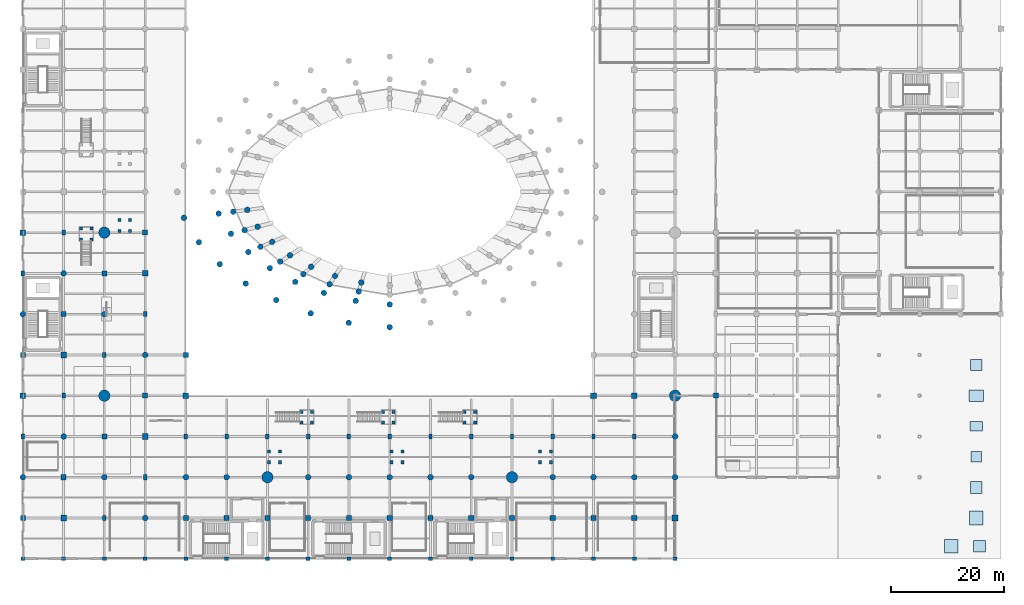
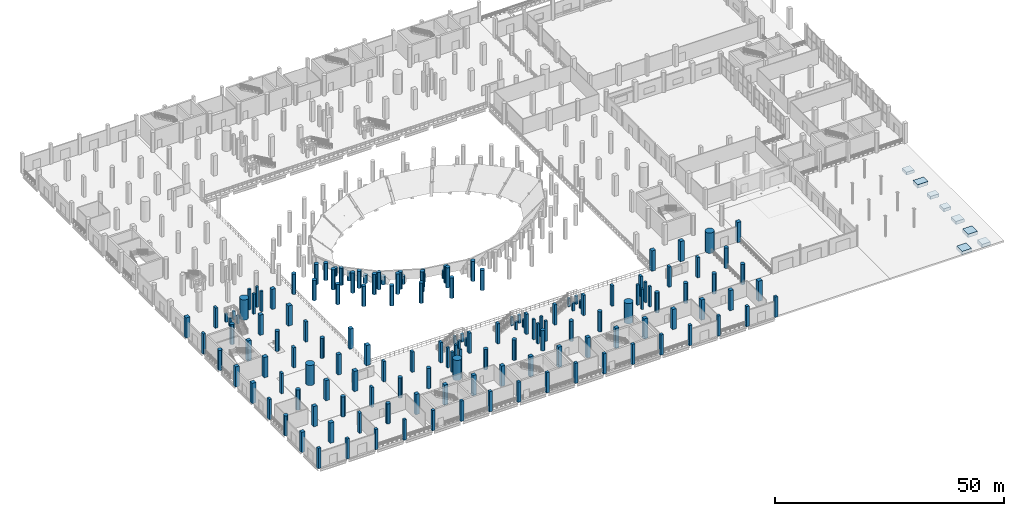
# One storey, part 1 of 58: 156 columns, 8 footings.
"""IFC4 building model written with IfcOpenShell, lengths in metres."""

from ifc_helpers import new_model, si_unit, direction, frame, origin, origin_2d, place, context, subcontext, project, spatial, rectangle, circle, extrude, material, material_profile, profile_set, type_object, element, save


model = new_model("IFC4")

# Units and contexts
model_context = context("Model", 3, precision=1e-05, world=origin(), true_north=direction((0.0, 1.0)))
body_context = subcontext(model_context, "Body", "Model", "MODEL_VIEW")
ifc_project = project(units=[si_unit("LENGTHUNIT", "METRE"), si_unit("AREAUNIT", "SQUARE_METRE"), si_unit("VOLUMEUNIT", "CUBIC_METRE"), si_unit("PLANEANGLEUNIT", "RADIAN"), si_unit("MASSUNIT", "GRAM", prefix="KILO")], contexts=[model_context])

# Site, building, storey
site_placement = place(None, origin())
site = spatial("IfcSite", under=ifc_project, at=site_placement, CompositionType="ELEMENT")
building_placement = place(site_placement, origin())
building = spatial("IfcBuilding", under=site, at=building_placement, Name="Qandorah Velis Arena", CompositionType="ELEMENT")
storey_placement = place(building_placement, origin())
storey = spatial("IfcBuildingStorey", under=building, at=storey_placement, Name="L00", CompositionType="ELEMENT", Elevation=0.0)

# Footings
ifc_material_1 = material(Name="Concrete C40/50", Category="concrete")
footing_type_1 = type_object("IfcFootingType", Name="STR-PAD-PF1", PredefinedType="PAD_FOOTING", material=ifc_material_1)
for number, where, z_axis, x_axis, name in (
    (1, (168.39990234375, 7.199951171875, -0.89990234375), (0.0, 0.0, 1.0), (1.0, 0.0, 0.0), "Plaza pad footing PF-01"),
    (2, (164.0, 2.199951171875, -0.89990234375), (0.0, 0.0, 1.0), (1.0, 0.0, 0.0), "Plaza pad footing PF-07"),
):
    element("IfcFooting", number, at=place(storey_placement, frame(where, z_axis=z_axis, x_axis=x_axis)), inside=storey, type_object=footing_type_1, Name=name, PredefinedType="PAD_FOOTING", context=body_context, shape_type="SweptSolid", body=[
        extrude(rectangle(XDim=2.39990234375, YDim=2.39990234375, at=origin_2d()), origin(), (0.0, 0.0, 1.0), 0.89990234375),
    ])
footing_type_2 = type_object("IfcFootingType", Name="STR-PAD-PF2", PredefinedType="PAD_FOOTING", material=ifc_material_1)
for number, where, z_axis, x_axis, name in (
    (3, (168.39990234375, 12.60009765625, -0.875), (0.0, 0.0, 1.0), (1.0, 0.0, 0.0), "Plaza pad footing PF-02"),
    (4, (169.0, 2.199951171875, -0.875), (0.0, 0.0, 1.0), (1.0, 0.0, 0.0), "Plaza pad footing PF-08"),
):
    element("IfcFooting", number, at=place(storey_placement, frame(where, z_axis=z_axis, x_axis=x_axis)), inside=storey, type_object=footing_type_2, Name=name, PredefinedType="PAD_FOOTING", context=body_context, shape_type="SweptSolid", body=[
        extrude(rectangle(XDim=2.10009765625, YDim=2.10009765625, at=origin_2d()), origin(), (0.0, 0.0, 1.0), 0.85009765625),
    ])
footing_type_3 = type_object("IfcFootingType", Name="STR-PAD-PF3", PredefinedType="PAD_FOOTING", material=ifc_material_1)
footing_1_placement = place(storey_placement, frame((168.39990234375, 18.0, -0.85009765625), z_axis=(0.0, 0.0, 1.0), x_axis=(1.0, 0.0, 0.0)))
element("IfcFooting", 5, at=footing_1_placement, inside=storey, type_object=footing_type_3, Name="Plaza pad footing PF-03", PredefinedType="PAD_FOOTING", context=body_context, shape_type="SweptSolid", body=[
    extrude(rectangle(XDim=1.800048828125, YDim=1.800048828125, at=origin_2d()), origin(), (0.0, 0.0, 1.0), 0.800048828125),
])
footing_type_4 = type_object("IfcFootingType", Name="STR-PAD-PF4", PredefinedType="PAD_FOOTING", material=ifc_material_1)
footing_2_placement = place(storey_placement, frame((168.39990234375, 23.39990234375, -0.85009765625), z_axis=(0.0, 0.0, 1.0), x_axis=(1.0, 0.0, 0.0)))
element("IfcFooting", 6, at=footing_2_placement, inside=storey, type_object=footing_type_4, Name="Plaza pad footing PF-04", PredefinedType="PAD_FOOTING", context=body_context, shape_type="SweptSolid", body=[
    extrude(rectangle(XDim=2.199951171875, YDim=1.60009765625, at=origin_2d()), origin(), (0.0, 0.0, 1.0), 0.800048828125),
])
footing_type_5 = type_object("IfcFootingType", Name="STR-PAD-PF5", PredefinedType="PAD_FOOTING", material=ifc_material_1)
footing_3_placement = place(storey_placement, frame((168.39990234375, 28.800048828125, -0.9248046875), z_axis=(0.0, 0.0, 1.0), x_axis=(1.0, 0.0, 0.0)))
element("IfcFooting", 7, at=footing_3_placement, inside=storey, type_object=footing_type_5, Name="Plaza pad footing PF-05", PredefinedType="PAD_FOOTING", context=body_context, shape_type="SweptSolid", body=[
    extrude(rectangle(XDim=2.60009765625, YDim=2.0, at=origin_2d()), origin(), (0.0, 0.0, 1.0), 0.949951171875),
])
footing_type_6 = type_object("IfcFootingType", Name="STR-PAD-PF6", PredefinedType="PAD_FOOTING", material=ifc_material_1)
footing_4_placement = place(storey_placement, frame((168.39990234375, 34.199951171875, -0.824951171875), z_axis=(0.0, 0.0, 1.0), x_axis=(1.0, 0.0, 0.0)))
element("IfcFooting", 8, at=footing_4_placement, inside=storey, type_object=footing_type_6, Name="Plaza pad footing PF-06", PredefinedType="PAD_FOOTING", context=body_context, shape_type="SweptSolid", body=[
    extrude(rectangle(XDim=1.949951171875, YDim=1.949951171875, at=origin_2d()), origin(), (0.0, 0.0, 1.0), 0.75),
])

# Columns
ifc_material_2 = material(Name="Concrete C50/60", Category="concrete")
ifc_material_profile_1 = material_profile(ifc_material_2, circle(Radius=1.0, at=origin_2d()), Name="MC D2000")
ifc_profile_set_1 = profile_set([ifc_material_profile_1], Name="Concrete C50/60")
column_type_1 = type_object("IfcColumnType", Name="STR-COL-MC2000", PredefinedType="COLUMN", material=ifc_profile_set_1)
for number, where, z_axis, x_axis, name in (
    (9, (14.39990234375, 28.800048828125, 0.0), (0.0, 0.0, 1.0), (1.0, 0.0, 0.0), "Mega column MC1 (L00)"),
    (10, (14.39990234375, 57.60009765625, 0.0), (0.0, 0.0, 1.0), (1.0, 0.0, 0.0), "Mega column MC2 (L00)"),
    (11, (43.199951171875, 14.39990234375, 0.0), (0.0, 0.0, 1.0), (1.0, 0.0, 0.0), "Mega column MC4 (L00)"),
    (12, (86.39990234375, 14.39990234375, 0.0), (0.0, 0.0, 1.0), (1.0, 0.0, 0.0), "Mega column MC5 (L00)"),
    (13, (115.199951171875, 28.800048828125, 0.0), (0.0, 0.0, 1.0), (1.0, 0.0, 0.0), "Mega column MC8 (L00)"),
):
    element("IfcColumn", number, at=place(storey_placement, frame(where, z_axis=z_axis, x_axis=x_axis)), inside=storey, type_object=column_type_1, Name=name, PredefinedType="COLUMN", context=body_context, shape_type="SweptSolid", body=[
        extrude(circle(Radius=1.0, at=origin_2d()), origin(), (0.0, 0.0, 1.0), 5.39990234375),
    ])
ifc_material_profile_2 = material_profile(ifc_material_1, rectangle(XDim=1.0, YDim=1.0, at=origin_2d()), Name="RC COL 1000x1000")
ifc_profile_set_2 = profile_set([ifc_material_profile_2], Name="Concrete C40/50")
column_type_2 = type_object("IfcColumnType", Name="STR-COL-RC1000", PredefinedType="COLUMN", material=ifc_profile_set_2)
for number, where, z_axis, x_axis, name in (
    (14, (0.0, 28.800048828125, 0.0), (0.0, 0.0, 1.0), (1.0, 0.0, 0.0), "Structural column L00-004"),
    (15, (0.0, 57.60009765625, 0.0), (0.0, 0.0, 1.0), (1.0, 0.0, 0.0), "Structural column L00-008"),
    (16, (7.199951171875, 7.199951171875, 0.0), (0.0, 0.0, 1.0), (1.0, 0.0, 0.0), "Structural column L00-020"),
    (17, (7.199951171875, 36.0, 0.0), (0.0, 0.0, 1.0), (1.0, 0.0, 0.0), "Structural column L00-024"),
    (18, (21.60009765625, 21.60009765625, 0.0), (0.0, 0.0, 1.0), (1.0, 0.0, 0.0), "Structural column L00-060"),
    (19, (21.60009765625, 50.39990234375, 0.0), (0.0, 0.0, 1.0), (1.0, 0.0, 0.0), "Structural column L00-064"),
    (20, (28.800048828125, 28.800048828125, 0.0), (0.0, 0.0, 1.0), (1.0, 0.0, 0.0), "Structural column L00-080"),
    (21, (100.800048828125, 28.800048828125, 0.0), (0.0, 0.0, 1.0), (1.0, 0.0, 0.0), "Structural column L00-164"),
    (22, (108.0, 28.800048828125, 0.0), (0.0, 0.0, 1.0), (1.0, 0.0, 0.0), "Structural column L00-176"),
    (23, (115.199951171875, 7.199951171875, 0.0), (0.0, 0.0, 1.0), (1.0, 0.0, 0.0), "Structural column L00-192"),
):
    element("IfcColumn", number, at=place(storey_placement, frame(where, z_axis=z_axis, x_axis=x_axis)), inside=storey, type_object=column_type_2, Name=name, PredefinedType="COLUMN", context=body_context, shape_type="SweptSolid", body=[
        extrude(rectangle(XDim=1.0, YDim=1.0, at=origin_2d()), origin(), (0.0, 0.0, 1.0), 5.39990234375),
    ])
ifc_material_profile_3 = material_profile(ifc_material_1, rectangle(XDim=0.550048828125, YDim=0.550048828125, at=origin_2d()), Name="RC COL 550x550")
ifc_profile_set_3 = profile_set([ifc_material_profile_3], Name="Concrete C40/50")
column_type_3 = type_object("IfcColumnType", Name="STR-COL-RC550", PredefinedType="COLUMN", material=ifc_profile_set_3)
for number, where, z_axis, x_axis, name in (
    (24, (49.199951171875, 24.050048828125, 0.0), (0.0, 0.0, 1.0), (1.0, 0.0, 0.0), "Vomitory VS1 L00 landing column 1"),
    (25, (51.10009765625, 24.050048828125, 0.0), (0.0, 0.0, 1.0), (1.0, 0.0, 0.0), "Vomitory VS1 L00 landing column 2"),
    (26, (49.199951171875, 25.949951171875, 0.0), (0.0, 0.0, 1.0), (1.0, 0.0, 0.0), "Vomitory VS1 L00 landing column 3"),
    (27, (51.10009765625, 25.949951171875, 0.0), (0.0, 0.0, 1.0), (1.0, 0.0, 0.0), "Vomitory VS1 L00 landing column 4"),
    (28, (63.60009765625, 24.050048828125, 0.0), (0.0, 0.0, 1.0), (1.0, 0.0, 0.0), "Vomitory VS2 L00 landing column 1"),
    (29, (65.5, 24.050048828125, 0.0), (0.0, 0.0, 1.0), (1.0, 0.0, 0.0), "Vomitory VS2 L00 landing column 2"),
    (30, (63.60009765625, 25.949951171875, 0.0), (0.0, 0.0, 1.0), (1.0, 0.0, 0.0), "Vomitory VS2 L00 landing column 3"),
    (31, (65.5, 25.949951171875, 0.0), (0.0, 0.0, 1.0), (1.0, 0.0, 0.0), "Vomitory VS2 L00 landing column 4"),
    (32, (78.0, 24.050048828125, 0.0), (0.0, 0.0, 1.0), (1.0, 0.0, 0.0), "Vomitory VS3 L00 landing column 1"),
    (33, (79.89990234375, 24.050048828125, 0.0), (0.0, 0.0, 1.0), (1.0, 0.0, 0.0), "Vomitory VS3 L00 landing column 2"),
    (34, (78.0, 25.949951171875, 0.0), (0.0, 0.0, 1.0), (1.0, 0.0, 0.0), "Vomitory VS3 L00 landing column 3"),
    (35, (79.89990234375, 25.949951171875, 0.0), (0.0, 0.0, 1.0), (1.0, 0.0, 0.0), "Vomitory VS3 L00 landing column 4"),
    (36, (10.25, 56.39990234375, 0.0), (0.0, 0.0, 1.0), (1.0, 0.0, 0.0), "Vomitory VS7 L00 landing column 1"),
    (37, (12.14990234375, 56.39990234375, 0.0), (0.0, 0.0, 1.0), (1.0, 0.0, 0.0), "Vomitory VS7 L00 landing column 2"),
    (38, (10.25, 58.300048828125, 0.0), (0.0, 0.0, 1.0), (1.0, 0.0, 0.0), "Vomitory VS7 L00 landing column 3"),
    (39, (12.14990234375, 58.300048828125, 0.0), (0.0, 0.0, 1.0), (1.0, 0.0, 0.0), "Vomitory VS7 L00 landing column 4"),
):
    element("IfcColumn", number, at=place(storey_placement, frame(where, z_axis=z_axis, x_axis=x_axis)), inside=storey, type_object=column_type_3, Name=name, PredefinedType="COLUMN", context=body_context, shape_type="SweptSolid", body=[
        extrude(rectangle(XDim=0.550048828125, YDim=0.550048828125, at=origin_2d()), origin(), (0.0, 0.0, 1.0), 2.159912109375),
    ])
for number, where, z_axis, x_axis, name in (
    (40, (43.5, 17.050048828125, 0.0), (0.0, 0.0, 1.0), (1.0, 0.0, 0.0), "Vomitory VS9 L00 landing column 1"),
    (41, (45.449951171875, 17.050048828125, 0.0), (0.0, 0.0, 1.0), (1.0, 0.0, 0.0), "Vomitory VS9 L00 landing column 2"),
    (42, (43.5, 18.949951171875, 0.0), (0.0, 0.0, 1.0), (1.0, 0.0, 0.0), "Vomitory VS9 L00 landing column 3"),
    (43, (45.449951171875, 18.949951171875, 0.0), (0.0, 0.0, 1.0), (1.0, 0.0, 0.0), "Vomitory VS9 L00 landing column 4"),
    (44, (65.10009765625, 17.050048828125, 0.0), (0.0, 0.0, 1.0), (1.0, 0.0, 0.0), "Vomitory VS10 L00 landing column 1"),
    (45, (67.050048828125, 17.050048828125, 0.0), (0.0, 0.0, 1.0), (1.0, 0.0, 0.0), "Vomitory VS10 L00 landing column 2"),
    (46, (65.10009765625, 18.949951171875, 0.0), (0.0, 0.0, 1.0), (1.0, 0.0, 0.0), "Vomitory VS10 L00 landing column 3"),
    (47, (67.050048828125, 18.949951171875, 0.0), (0.0, 0.0, 1.0), (1.0, 0.0, 0.0), "Vomitory VS10 L00 landing column 4"),
    (48, (91.35009765625, 17.050048828125, 0.0), (0.0, 0.0, 1.0), (1.0, 0.0, 0.0), "Vomitory VS11 L00 landing column 1"),
    (49, (93.300048828125, 17.050048828125, 0.0), (0.0, 0.0, 1.0), (1.0, 0.0, 0.0), "Vomitory VS11 L00 landing column 2"),
    (50, (91.35009765625, 18.949951171875, 0.0), (0.0, 0.0, 1.0), (1.0, 0.0, 0.0), "Vomitory VS11 L00 landing column 3"),
    (51, (93.300048828125, 18.949951171875, 0.0), (0.0, 0.0, 1.0), (1.0, 0.0, 0.0), "Vomitory VS11 L00 landing column 4"),
    (52, (17.050048828125, 57.89990234375, 0.0), (0.0, 0.0, 1.0), (1.0, 0.0, 0.0), "Vomitory VS15 L00 landing column 1"),
    (53, (18.949951171875, 57.89990234375, 0.0), (0.0, 0.0, 1.0), (1.0, 0.0, 0.0), "Vomitory VS15 L00 landing column 2"),
    (54, (17.050048828125, 59.85009765625, 0.0), (0.0, 0.0, 1.0), (1.0, 0.0, 0.0), "Vomitory VS15 L00 landing column 3"),
    (55, (18.949951171875, 59.85009765625, 0.0), (0.0, 0.0, 1.0), (1.0, 0.0, 0.0), "Vomitory VS15 L00 landing column 4"),
):
    element("IfcColumn", number, at=place(storey_placement, frame(where, z_axis=z_axis, x_axis=x_axis)), inside=storey, type_object=column_type_3, Name=name, PredefinedType="COLUMN", context=body_context, shape_type="SweptSolid", body=[
        extrude(rectangle(XDim=0.550048828125, YDim=0.550048828125, at=origin_2d()), origin(), (0.0, 0.0, 1.0), 5.39990234375),
    ])
ifc_material_profile_4 = material_profile(ifc_material_1, rectangle(XDim=0.60009765625, YDim=0.89990234375, at=origin_2d()), Name="RC COL 600x900")
ifc_profile_set_4 = profile_set([ifc_material_profile_4], Name="Concrete C40/50")
column_type_4 = type_object("IfcColumnType", Name="STR-COL-RC600X900", PredefinedType="COLUMN", material=ifc_profile_set_4)
for number, where, z_axis, x_axis, name in (
    (56, (0.0, 21.60009765625, 0.0), (0.0, 0.0, 1.0), (1.0, 0.0, 0.0), "Structural column L00-003"),
    (57, (0.0, 50.39990234375, 0.0), (0.0, 0.0, 1.0), (1.0, 0.0, 0.0), "Structural column L00-007"),
    (58, (7.199951171875, 28.800048828125, 0.0), (0.0, 0.0, 1.0), (1.0, 0.0, 0.0), "Structural column L00-023"),
    (59, (7.199951171875, 57.60009765625, 0.0), (0.0, 0.0, 1.0), (1.0, 0.0, 0.0), "Structural column L00-027"),
    (60, (14.39990234375, 7.199951171875, 0.0), (0.0, 0.0, 1.0), (1.0, 0.0, 0.0), "Structural column L00-039"),
    (61, (14.39990234375, 36.0, 0.0), (0.0, 0.0, 1.0), (1.0, 0.0, 0.0), "Structural column L00-043"),
    (62, (21.60009765625, 14.39990234375, 0.0), (0.0, 0.0, 1.0), (1.0, 0.0, 0.0), "Structural column L00-059"),
    (63, (21.60009765625, 43.199951171875, 0.0), (0.0, 0.0, 1.0), (1.0, 0.0, 0.0), "Structural column L00-063"),
    (64, (28.800048828125, 21.60009765625, 0.0), (0.0, 0.0, 1.0), (1.0, 0.0, 0.0), "Structural column L00-079"),
    (65, (36.0, 21.60009765625, 0.0), (0.0, 0.0, 1.0), (1.0, 0.0, 0.0), "Structural column L00-091"),
    (66, (43.199951171875, 21.60009765625, 0.0), (0.0, 0.0, 1.0), (1.0, 0.0, 0.0), "Structural column L00-099"),
    (67, (50.39990234375, 21.60009765625, 0.0), (0.0, 0.0, 1.0), (1.0, 0.0, 0.0), "Structural column L00-107"),
    (68, (57.60009765625, 21.60009765625, 0.0), (0.0, 0.0, 1.0), (1.0, 0.0, 0.0), "Structural column L00-115"),
    (69, (64.800048828125, 21.60009765625, 0.0), (0.0, 0.0, 1.0), (1.0, 0.0, 0.0), "Structural column L00-123"),
    (70, (72.0, 21.60009765625, 0.0), (0.0, 0.0, 1.0), (1.0, 0.0, 0.0), "Structural column L00-131"),
    (71, (79.199951171875, 21.60009765625, 0.0), (0.0, 0.0, 1.0), (1.0, 0.0, 0.0), "Structural column L00-139"),
    (72, (86.39990234375, 21.60009765625, 0.0), (0.0, 0.0, 1.0), (1.0, 0.0, 0.0), "Structural column L00-147"),
    (73, (93.60009765625, 21.60009765625, 0.0), (0.0, 0.0, 1.0), (1.0, 0.0, 0.0), "Structural column L00-155"),
    (74, (100.800048828125, 21.60009765625, 0.0), (0.0, 0.0, 1.0), (1.0, 0.0, 0.0), "Structural column L00-163"),
    (75, (108.0, 21.60009765625, 0.0), (0.0, 0.0, 1.0), (1.0, 0.0, 0.0), "Structural column L00-175"),
):
    element("IfcColumn", number, at=place(storey_placement, frame(where, z_axis=z_axis, x_axis=x_axis)), inside=storey, type_object=column_type_4, Name=name, PredefinedType="COLUMN", context=body_context, shape_type="SweptSolid", body=[
        extrude(rectangle(XDim=0.60009765625, YDim=0.89990234375, at=origin_2d()), origin(), (0.0, 0.0, 1.0), 5.39990234375),
    ])
ifc_material_profile_5 = material_profile(ifc_material_1, rectangle(XDim=0.699951171875, YDim=0.699951171875, at=origin_2d()), Name="RC COL 700x700")
ifc_profile_set_5 = profile_set([ifc_material_profile_5], Name="Concrete C40/50")
column_type_5 = type_object("IfcColumnType", Name="STR-COL-RC700", PredefinedType="COLUMN", material=ifc_profile_set_5)
for number, where, z_axis, x_axis, name in (
    (76, (0.0, 0.0, 0.0), (0.0, 0.0, 1.0), (1.0, 0.0, 0.0), "Structural column L00-000"),
    (77, (7.199951171875, 0.0, 0.0), (0.0, 0.0, 1.0), (1.0, 0.0, 0.0), "Structural column L00-019"),
    (78, (14.39990234375, 0.0, 0.0), (0.0, 0.0, 1.0), (1.0, 0.0, 0.0), "Structural column L00-038"),
    (79, (21.60009765625, 0.0, 0.0), (0.0, 0.0, 1.0), (1.0, 0.0, 0.0), "Structural column L00-057"),
    (80, (28.800048828125, 0.0, 0.0), (0.0, 0.0, 1.0), (1.0, 0.0, 0.0), "Structural column L00-076"),
    (81, (36.0, 0.0, 0.0), (0.0, 0.0, 1.0), (1.0, 0.0, 0.0), "Structural column L00-088"),
    (82, (43.199951171875, 0.0, 0.0), (0.0, 0.0, 1.0), (1.0, 0.0, 0.0), "Structural column L00-096"),
    (83, (50.39990234375, 0.0, 0.0), (0.0, 0.0, 1.0), (1.0, 0.0, 0.0), "Structural column L00-104"),
    (84, (57.60009765625, 0.0, 0.0), (0.0, 0.0, 1.0), (1.0, 0.0, 0.0), "Structural column L00-112"),
    (85, (64.800048828125, 0.0, 0.0), (0.0, 0.0, 1.0), (1.0, 0.0, 0.0), "Structural column L00-120"),
    (86, (72.0, 0.0, 0.0), (0.0, 0.0, 1.0), (1.0, 0.0, 0.0), "Structural column L00-128"),
    (87, (79.199951171875, 0.0, 0.0), (0.0, 0.0, 1.0), (1.0, 0.0, 0.0), "Structural column L00-136"),
    (88, (86.39990234375, 0.0, 0.0), (0.0, 0.0, 1.0), (1.0, 0.0, 0.0), "Structural column L00-144"),
    (89, (93.60009765625, 0.0, 0.0), (0.0, 0.0, 1.0), (1.0, 0.0, 0.0), "Structural column L00-152"),
    (90, (100.800048828125, 0.0, 0.0), (0.0, 0.0, 1.0), (1.0, 0.0, 0.0), "Structural column L00-160"),
    (91, (108.0, 0.0, 0.0), (0.0, 0.0, 1.0), (1.0, 0.0, 0.0), "Structural column L00-172"),
    (92, (115.199951171875, 0.0, 0.0), (0.0, 0.0, 1.0), (1.0, 0.0, 0.0), "Structural column L00-191"),
):
    element("IfcColumn", number, at=place(storey_placement, frame(where, z_axis=z_axis, x_axis=x_axis)), inside=storey, type_object=column_type_5, Name=name, PredefinedType="COLUMN", context=body_context, shape_type="SweptSolid", body=[
        extrude(rectangle(XDim=0.699951171875, YDim=0.699951171875, at=origin_2d()), origin(), (0.0, 0.0, 1.0), 5.39990234375),
    ])
ifc_material_profile_6 = material_profile(ifc_material_1, rectangle(XDim=0.89990234375, YDim=0.89990234375, at=origin_2d()), Name="RC COL 900x900")
ifc_profile_set_6 = profile_set([ifc_material_profile_6], Name="Concrete C40/50")
column_type_6 = type_object("IfcColumnType", Name="STR-COL-RC900", PredefinedType="COLUMN", material=ifc_profile_set_6)
for number, where, z_axis, x_axis, name in (
    (93, (0.0, 7.199951171875, 0.0), (0.0, 0.0, 1.0), (1.0, 0.0, 0.0), "Structural column L00-001"),
    (94, (0.0, 36.0, 0.0), (0.0, 0.0, 1.0), (1.0, 0.0, 0.0), "Structural column L00-005"),
    (95, (7.199951171875, 14.39990234375, 0.0), (0.0, 0.0, 1.0), (1.0, 0.0, 0.0), "Structural column L00-021"),
    (96, (7.199951171875, 43.199951171875, 0.0), (0.0, 0.0, 1.0), (1.0, 0.0, 0.0), "Structural column L00-025"),
    (97, (14.39990234375, 21.60009765625, 0.0), (0.0, 0.0, 1.0), (1.0, 0.0, 0.0), "Structural column L00-041"),
    (98, (14.39990234375, 50.39990234375, 0.0), (0.0, 0.0, 1.0), (1.0, 0.0, 0.0), "Structural column L00-045"),
    (99, (21.60009765625, 28.800048828125, 0.0), (0.0, 0.0, 1.0), (1.0, 0.0, 0.0), "Structural column L00-061"),
    (100, (21.60009765625, 57.60009765625, 0.0), (0.0, 0.0, 1.0), (1.0, 0.0, 0.0), "Structural column L00-065"),
    (101, (28.800048828125, 7.199951171875, 0.0), (0.0, 0.0, 1.0), (1.0, 0.0, 0.0), "Structural column L00-077"),
    (102, (28.800048828125, 36.0, 0.0), (0.0, 0.0, 1.0), (1.0, 0.0, 0.0), "Structural column L00-081"),
    (103, (36.0, 7.199951171875, 0.0), (0.0, 0.0, 1.0), (1.0, 0.0, 0.0), "Structural column L00-089"),
    (104, (43.199951171875, 7.199951171875, 0.0), (0.0, 0.0, 1.0), (1.0, 0.0, 0.0), "Structural column L00-097"),
    (105, (50.39990234375, 7.199951171875, 0.0), (0.0, 0.0, 1.0), (1.0, 0.0, 0.0), "Structural column L00-105"),
    (106, (57.60009765625, 7.199951171875, 0.0), (0.0, 0.0, 1.0), (1.0, 0.0, 0.0), "Structural column L00-113"),
    (107, (64.800048828125, 7.199951171875, 0.0), (0.0, 0.0, 1.0), (1.0, 0.0, 0.0), "Structural column L00-121"),
    (108, (72.0, 7.199951171875, 0.0), (0.0, 0.0, 1.0), (1.0, 0.0, 0.0), "Structural column L00-129"),
    (109, (79.199951171875, 7.199951171875, 0.0), (0.0, 0.0, 1.0), (1.0, 0.0, 0.0), "Structural column L00-137"),
    (110, (86.39990234375, 7.199951171875, 0.0), (0.0, 0.0, 1.0), (1.0, 0.0, 0.0), "Structural column L00-145"),
    (111, (93.60009765625, 7.199951171875, 0.0), (0.0, 0.0, 1.0), (1.0, 0.0, 0.0), "Structural column L00-153"),
    (112, (100.800048828125, 7.199951171875, 0.0), (0.0, 0.0, 1.0), (1.0, 0.0, 0.0), "Structural column L00-161"),
    (113, (108.0, 7.199951171875, 0.0), (0.0, 0.0, 1.0), (1.0, 0.0, 0.0), "Structural column L00-173"),
    (114, (122.39990234375, 28.800048828125, 0.0), (0.0, 0.0, 1.0), (1.0, 0.0, 0.0), "Structural column L00-209"),
):
    element("IfcColumn", number, at=place(storey_placement, frame(where, z_axis=z_axis, x_axis=x_axis)), inside=storey, type_object=column_type_6, Name=name, PredefinedType="COLUMN", context=body_context, shape_type="SweptSolid", body=[
        extrude(rectangle(XDim=0.89990234375, YDim=0.89990234375, at=origin_2d()), origin(), (0.0, 0.0, 1.0), 5.39990234375),
    ])
ifc_material_profile_7 = material_profile(ifc_material_1, circle(Radius=0.5, at=origin_2d()), Name="RC D1000")
ifc_profile_set_7 = profile_set([ifc_material_profile_7], Name="Concrete C40/50")
column_type_7 = type_object("IfcColumnType", Name="STR-COL-RCD1000", PredefinedType="COLUMN", material=ifc_profile_set_7)
for number, where, z_axis, x_axis, name in (
    (115, (0.0, 14.39990234375, 0.0), (0.0, 0.0, 1.0), (1.0, 0.0, 0.0), "Structural column L00-002"),
    (116, (0.0, 43.199951171875, 0.0), (0.0, 0.0, 1.0), (1.0, 0.0, 0.0), "Structural column L00-006"),
    (117, (7.199951171875, 21.60009765625, 0.0), (0.0, 0.0, 1.0), (1.0, 0.0, 0.0), "Structural column L00-022"),
    (118, (7.199951171875, 50.39990234375, 0.0), (0.0, 0.0, 1.0), (1.0, 0.0, 0.0), "Structural column L00-026"),
    (119, (14.39990234375, 14.39990234375, 0.0), (0.0, 0.0, 1.0), (1.0, 0.0, 0.0), "Bowl drum ring column L00-040"),
    (120, (14.39990234375, 43.199951171875, 0.0), (0.0, 0.0, 1.0), (1.0, 0.0, 0.0), "Bowl drum ring column L00-044"),
    (121, (21.60009765625, 7.199951171875, 0.0), (0.0, 0.0, 1.0), (1.0, 0.0, 0.0), "Structural column L00-058"),
    (122, (21.60009765625, 36.0, 0.0), (0.0, 0.0, 1.0), (1.0, 0.0, 0.0), "Structural column L00-062"),
    (123, (28.800048828125, 14.39990234375, 0.0), (0.0, 0.0, 1.0), (1.0, 0.0, 0.0), "Bowl drum ring column L00-078"),
    (124, (36.0, 14.39990234375, 0.0), (0.0, 0.0, 1.0), (1.0, 0.0, 0.0), "Structural column L00-090"),
    (125, (50.39990234375, 14.39990234375, 0.0), (0.0, 0.0, 1.0), (1.0, 0.0, 0.0), "Structural column L00-106"),
    (126, (57.60009765625, 14.39990234375, 0.0), (0.0, 0.0, 1.0), (1.0, 0.0, 0.0), "Bowl drum ring column L00-114"),
    (127, (64.800048828125, 14.39990234375, 0.0), (0.0, 0.0, 1.0), (1.0, 0.0, 0.0), "Structural column L00-122"),
    (128, (72.0, 14.39990234375, 0.0), (0.0, 0.0, 1.0), (1.0, 0.0, 0.0), "Bowl drum ring column L00-130"),
    (129, (79.199951171875, 14.39990234375, 0.0), (0.0, 0.0, 1.0), (1.0, 0.0, 0.0), "Structural column L00-138"),
    (130, (93.60009765625, 14.39990234375, 0.0), (0.0, 0.0, 1.0), (1.0, 0.0, 0.0), "Structural column L00-154"),
    (131, (100.800048828125, 14.39990234375, 0.0), (0.0, 0.0, 1.0), (1.0, 0.0, 0.0), "Bowl drum ring column L00-162"),
    (132, (108.0, 14.39990234375, 0.0), (0.0, 0.0, 1.0), (1.0, 0.0, 0.0), "Structural column L00-174"),
    (133, (115.199951171875, 14.39990234375, 0.0), (0.0, 0.0, 1.0), (1.0, 0.0, 0.0), "Bowl drum ring column L00-193"),
    (134, (115.199951171875, 21.60009765625, 0.0), (0.0, 0.0, 1.0), (1.0, 0.0, 0.0), "Bowl drum ring column L00-194"),
):
    element("IfcColumn", number, at=place(storey_placement, frame(where, z_axis=z_axis, x_axis=x_axis)), inside=storey, type_object=column_type_7, Name=name, PredefinedType="COLUMN", context=body_context, shape_type="SweptSolid", body=[
        extrude(circle(Radius=0.5, at=origin_2d()), origin(), (0.0, 0.0, 1.0), 5.39990234375),
    ])
column_1_placement = place(storey_placement, frame((39.653076171875, 61.614990234375, 0.0), z_axis=(0.0, 0.0, 1.0), x_axis=(1.0, 0.0, 0.0)))
element("IfcColumn", 135, at=column_1_placement, inside=storey, type_object=column_type_7, Name="Lower bowl mid L00 support column 9.2", PredefinedType="COLUMN", context=body_context, shape_type="SweptSolid", body=[
    extrude(circle(Radius=0.5, at=origin_2d()), origin(), (0.0, 0.0, 1.0), 2.159912109375),
])
column_2_placement = place(storey_placement, frame((37.160888671875, 61.29931640625, 0.0), z_axis=(0.0, 0.0, 1.0), x_axis=(1.0, 0.0, 0.0)))
element("IfcColumn", 136, at=column_2_placement, inside=storey, type_object=column_type_7, Name="Lower bowl raker support column 9.2", PredefinedType="COLUMN", context=body_context, shape_type="SweptSolid", body=[
    extrude(circle(Radius=0.5, at=origin_2d()), origin(), (0.0, 0.0, 1.0), 4.56005859375),
])
for number, where, z_axis, x_axis, name in (
    (137, (34.573974609375, 60.9716796875, 0.0), (0.0, 0.0, 1.0), (1.0, 0.0, 0.0), "Upper raker fulcrum column L00 9.2"),
    (138, (28.474609375, 60.19921875, 0.0), (0.0, 0.0, 1.0), (1.0, 0.0, 0.0), "Outer bowl raker column L00 9.2"),
):
    element("IfcColumn", number, at=place(storey_placement, frame(where, z_axis=z_axis, x_axis=x_axis)), inside=storey, type_object=column_type_7, Name=name, PredefinedType="COLUMN", context=body_context, shape_type="SweptSolid", body=[
        extrude(circle(Radius=0.5, at=origin_2d()), origin(), (0.0, 0.0, 1.0), 5.39990234375),
    ])
column_3_placement = place(storey_placement, frame((41.4716796875, 58.647216796875, 0.0), z_axis=(0.0, 0.0, 1.0), x_axis=(1.0, 0.0, 0.0)))
element("IfcColumn", 139, at=column_3_placement, inside=storey, type_object=column_type_7, Name="Lower bowl mid L00 support column 10.1", PredefinedType="COLUMN", context=body_context, shape_type="SweptSolid", body=[
    extrude(circle(Radius=0.5, at=origin_2d()), origin(), (0.0, 0.0, 1.0), 2.159912109375),
])
column_4_placement = place(storey_placement, frame((39.159912109375, 58.037353515625, 0.0), z_axis=(0.0, 0.0, 1.0), x_axis=(1.0, 0.0, 0.0)))
element("IfcColumn", 140, at=column_4_placement, inside=storey, type_object=column_type_7, Name="Lower bowl raker support column 10.1", PredefinedType="COLUMN", context=body_context, shape_type="SweptSolid", body=[
    extrude(circle(Radius=0.5, at=origin_2d()), origin(), (0.0, 0.0, 1.0), 4.56005859375),
])
column_5_placement = place(storey_placement, frame((44.02392578125, 55.96044921875, 0.0), z_axis=(0.0, 0.0, 1.0), x_axis=(1.0, 0.0, 0.0)))
element("IfcColumn", 141, at=column_5_placement, inside=storey, type_object=column_type_7, Name="Lower bowl mid L00 support column 10.2", PredefinedType="COLUMN", context=body_context, shape_type="SweptSolid", body=[
    extrude(circle(Radius=0.5, at=origin_2d()), origin(), (0.0, 0.0, 1.0), 2.159912109375),
])
column_6_placement = place(storey_placement, frame((41.965087890625, 55.08447265625, 0.0), z_axis=(0.0, 0.0, 1.0), x_axis=(1.0, 0.0, 0.0)))
element("IfcColumn", 142, at=column_6_placement, inside=storey, type_object=column_type_7, Name="Lower bowl raker support column 10.2", PredefinedType="COLUMN", context=body_context, shape_type="SweptSolid", body=[
    extrude(circle(Radius=0.5, at=origin_2d()), origin(), (0.0, 0.0, 1.0), 4.56005859375),
])
for number, where, z_axis, x_axis, name in (
    (143, (36.760009765625, 57.404296875, 0.0), (0.0, 0.0, 1.0), (1.0, 0.0, 0.0), "Upper raker fulcrum column L00 10.1"),
    (144, (31.101806640625, 55.912109375, 0.0), (0.0, 0.0, 1.0), (1.0, 0.0, 0.0), "Outer bowl raker column L00 10.1"),
    (145, (39.82763671875, 54.17529296875, 0.0), (0.0, 0.0, 1.0), (1.0, 0.0, 0.0), "Upper raker fulcrum column L00 10.2"),
    (146, (34.788330078125, 52.03125, 0.0), (0.0, 0.0, 1.0), (1.0, 0.0, 0.0), "Outer bowl raker column L00 10.2"),
):
    element("IfcColumn", number, at=place(storey_placement, frame(where, z_axis=z_axis, x_axis=x_axis)), inside=storey, type_object=column_type_7, Name=name, PredefinedType="COLUMN", context=body_context, shape_type="SweptSolid", body=[
        extrude(circle(Radius=0.5, at=origin_2d()), origin(), (0.0, 0.0, 1.0), 5.39990234375),
    ])
column_7_placement = place(storey_placement, frame((47.19580078125, 53.590576171875, 0.0), z_axis=(0.0, 0.0, 1.0), x_axis=(1.0, 0.0, 0.0)))
element("IfcColumn", 147, at=column_7_placement, inside=storey, type_object=column_type_7, Name="Lower bowl mid L00 support column 11.1", PredefinedType="COLUMN", context=body_context, shape_type="SweptSolid", body=[
    extrude(circle(Radius=0.5, at=origin_2d()), origin(), (0.0, 0.0, 1.0), 2.159912109375),
])
column_8_placement = place(storey_placement, frame((45.451171875, 52.4794921875, 0.0), z_axis=(0.0, 0.0, 1.0), x_axis=(1.0, 0.0, 0.0)))
element("IfcColumn", 148, at=column_8_placement, inside=storey, type_object=column_type_7, Name="Lower bowl raker support column 11.1", PredefinedType="COLUMN", context=body_context, shape_type="SweptSolid", body=[
    extrude(circle(Radius=0.5, at=origin_2d()), origin(), (0.0, 0.0, 1.0), 4.56005859375),
])
column_9_placement = place(storey_placement, frame((50.917724609375, 51.57080078125, 0.0), z_axis=(0.0, 0.0, 1.0), x_axis=(1.0, 0.0, 0.0)))
element("IfcColumn", 149, at=column_9_placement, inside=storey, type_object=column_type_7, Name="Lower bowl mid L00 support column 11.2", PredefinedType="COLUMN", context=body_context, shape_type="SweptSolid", body=[
    extrude(circle(Radius=0.5, at=origin_2d()), origin(), (0.0, 0.0, 1.0), 2.159912109375),
])
column_10_placement = place(storey_placement, frame((49.5419921875, 50.259765625, 0.0), z_axis=(0.0, 0.0, 1.0), x_axis=(1.0, 0.0, 0.0)))
element("IfcColumn", 150, at=column_10_placement, inside=storey, type_object=column_type_7, Name="Lower bowl raker support column 11.2", PredefinedType="COLUMN", context=body_context, shape_type="SweptSolid", body=[
    extrude(circle(Radius=0.5, at=origin_2d()), origin(), (0.0, 0.0, 1.0), 4.56005859375),
])
for number, where, z_axis, x_axis, name in (
    (151, (43.64013671875, 51.326416015625, 0.0), (0.0, 0.0, 1.0), (1.0, 0.0, 0.0), "Upper raker fulcrum column L00 11.1"),
    (152, (39.370361328125, 48.607666015625, 0.0), (0.0, 0.0, 1.0), (1.0, 0.0, 0.0), "Outer bowl raker column L00 11.1"),
    (153, (48.114013671875, 48.898681640625, 0.0), (0.0, 0.0, 1.0), (1.0, 0.0, 0.0), "Upper raker fulcrum column L00 11.2"),
    (154, (44.746826171875, 45.690185546875, 0.0), (0.0, 0.0, 1.0), (1.0, 0.0, 0.0), "Outer bowl raker column L00 11.2"),
):
    element("IfcColumn", number, at=place(storey_placement, frame(where, z_axis=z_axis, x_axis=x_axis)), inside=storey, type_object=column_type_7, Name=name, PredefinedType="COLUMN", context=body_context, shape_type="SweptSolid", body=[
        extrude(circle(Radius=0.5, at=origin_2d()), origin(), (0.0, 0.0, 1.0), 5.39990234375),
    ])
column_11_placement = place(storey_placement, frame((55.13720703125, 49.94580078125, 0.0), z_axis=(0.0, 0.0, 1.0), x_axis=(1.0, 0.0, 0.0)))
element("IfcColumn", 155, at=column_11_placement, inside=storey, type_object=column_type_7, Name="Lower bowl mid L00 support column 12.1", PredefinedType="COLUMN", context=body_context, shape_type="SweptSolid", body=[
    extrude(circle(Radius=0.5, at=origin_2d()), origin(), (0.0, 0.0, 1.0), 2.159912109375),
])
column_12_placement = place(storey_placement, frame((54.179443359375, 48.4736328125, 0.0), z_axis=(0.0, 0.0, 1.0), x_axis=(1.0, 0.0, 0.0)))
element("IfcColumn", 156, at=column_12_placement, inside=storey, type_object=column_type_7, Name="Lower bowl raker support column 12.1", PredefinedType="COLUMN", context=body_context, shape_type="SweptSolid", body=[
    extrude(circle(Radius=0.5, at=origin_2d()), origin(), (0.0, 0.0, 1.0), 4.56005859375),
])
column_13_placement = place(storey_placement, frame((59.7978515625, 48.78759765625, 0.0), z_axis=(0.0, 0.0, 1.0), x_axis=(1.0, 0.0, 0.0)))
element("IfcColumn", 157, at=column_13_placement, inside=storey, type_object=column_type_7, Name="Lower bowl mid L00 support column 12.2", PredefinedType="COLUMN", context=body_context, shape_type="SweptSolid", body=[
    extrude(circle(Radius=0.5, at=origin_2d()), origin(), (0.0, 0.0, 1.0), 2.159912109375),
])
column_14_placement = place(storey_placement, frame((59.30224609375, 47.20068359375, 0.0), z_axis=(0.0, 0.0, 1.0), x_axis=(1.0, 0.0, 0.0)))
element("IfcColumn", 158, at=column_14_placement, inside=storey, type_object=column_type_7, Name="Lower bowl raker support column 12.2", PredefinedType="COLUMN", context=body_context, shape_type="SweptSolid", body=[
    extrude(circle(Radius=0.5, at=origin_2d()), origin(), (0.0, 0.0, 1.0), 4.56005859375),
])
for number, where, z_axis, x_axis, name in (
    (159, (53.185546875, 46.945556640625, 0.0), (0.0, 0.0, 1.0), (1.0, 0.0, 0.0), "Upper raker fulcrum column L00 12.1"),
    (160, (50.841796875, 43.342529296875, 0.0), (0.0, 0.0, 1.0), (1.0, 0.0, 0.0), "Outer bowl raker column L00 12.1"),
    (161, (58.78759765625, 45.553466796875, 0.0), (0.0, 0.0, 1.0), (1.0, 0.0, 0.0), "Upper raker fulcrum column L00 12.2"),
    (162, (57.574462890625, 41.669677734375, 0.0), (0.0, 0.0, 1.0), (1.0, 0.0, 0.0), "Outer bowl raker column L00 12.2"),
    (163, (64.800048828125, 44.920654296875, 0.0), (0.0, 0.0, 1.0), (1.0, 0.0, 0.0), "Upper raker fulcrum column L00 13.1"),
    (164, (64.800048828125, 40.9091796875, 0.0), (0.0, 0.0, 1.0), (1.0, 0.0, 0.0), "Outer bowl raker column L00 13.1"),
):
    element("IfcColumn", number, at=place(storey_placement, frame(where, z_axis=z_axis, x_axis=x_axis)), inside=storey, type_object=column_type_7, Name=name, PredefinedType="COLUMN", context=body_context, shape_type="SweptSolid", body=[
        extrude(circle(Radius=0.5, at=origin_2d()), origin(), (0.0, 0.0, 1.0), 5.39990234375),
    ])

save(model, "model.ifc")
